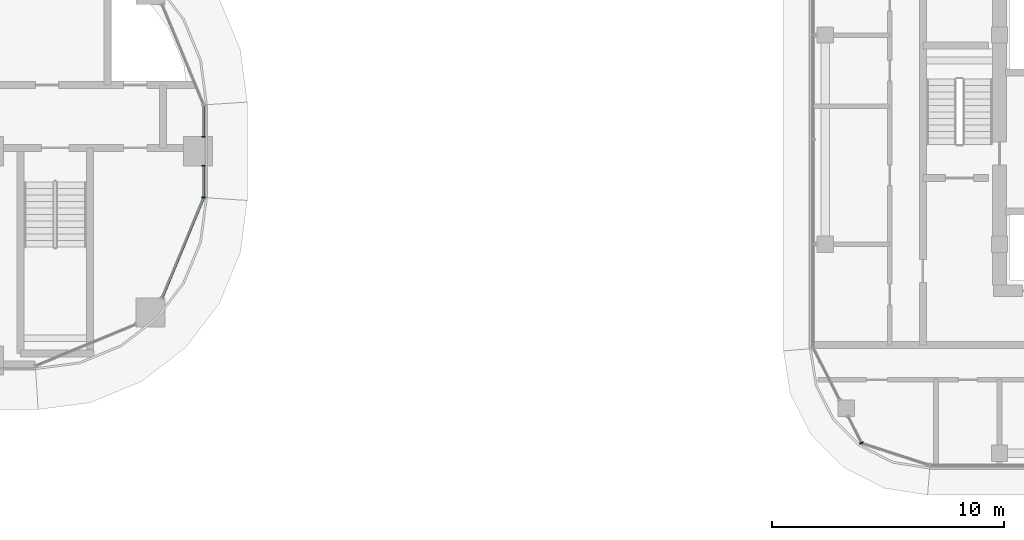
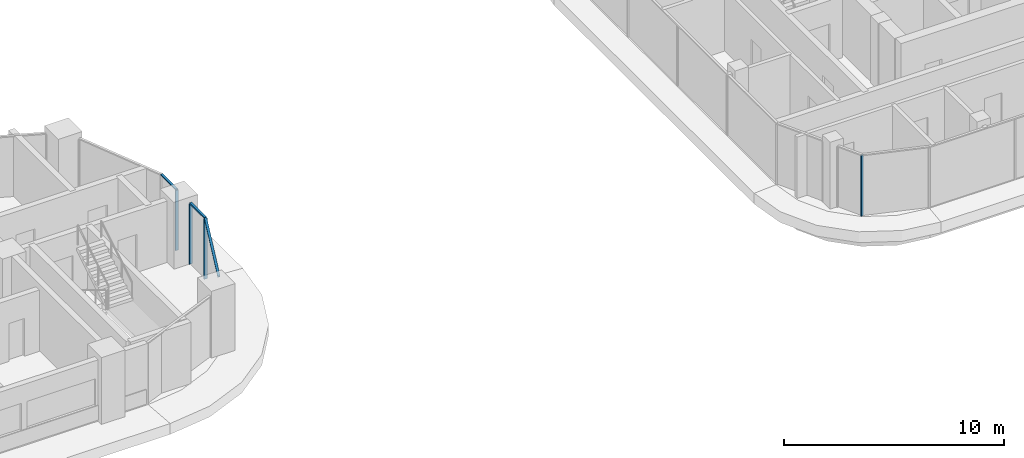
# One storey, part 6 of 33: 7 members, 4 elements without a shape of their own.
"""IFC4 building model written with IfcOpenShell, lengths in metres."""

from ifc_helpers import new_model, si_unit, direction, frame, origin, origin_2d, place, context, subcontext, project, spatial, rectangle, extrude, material, material_profile, profile_set, type_object, element, aggregate, save


model = new_model("IFC4")

# Units and contexts
model_context = context("Model", 3, precision=1e-05, world=origin(), true_north=direction((0.0, 1.0)))
body_context = subcontext(model_context, "Body", "Model", "MODEL_VIEW")
ifc_project = project(units=[si_unit("LENGTHUNIT", "METRE"), si_unit("AREAUNIT", "SQUARE_METRE"), si_unit("VOLUMEUNIT", "CUBIC_METRE"), si_unit("PLANEANGLEUNIT", "RADIAN"), si_unit("MASSUNIT", "GRAM", prefix="KILO")], contexts=[model_context])

# Site, building, storey
site_placement = place(None, origin())
site = spatial("IfcSite", under=ifc_project, at=site_placement, CompositionType="ELEMENT")
building_placement = place(site_placement, origin())
building = spatial("IfcBuilding", under=site, at=building_placement, Name="Ogive Portal Towers", CompositionType="ELEMENT")
storey_placement = place(building_placement, frame((0.0, 0.0, 98.199951171875)))
storey = spatial("IfcBuildingStorey", under=building, at=storey_placement, Name="L23", CompositionType="ELEMENT", Elevation=98.199951171875)

# Curtain wall, members
ifc_material_1 = material(Name="Glass, clear low-iron insulated glazing", Category="glass")
curtain_wall_type_1 = type_object("IfcCurtainWallType", Name="CW FRONT RIBBON 4500", PredefinedType="NOTDEFINED", material=ifc_material_1)
curtain_wall_1_placement = place(storey_placement, origin())
curtain_wall_1 = element("IfcCurtainWall", 1, at=curtain_wall_1_placement, inside=storey, type_object=curtain_wall_type_1, Name="A:L23:f23:cw0~0", PredefinedType="NOTDEFINED")
ifc_material_2 = material(Name="Aluminium 6063 anodised", Category="aluminium")
ifc_material_profile_1 = material_profile(ifc_material_2, rectangle(XDim=0.159912109375, YDim=0.06005859375, at=origin_2d()), Name="AL 60x160")
ifc_profile_set_1 = profile_set([ifc_material_profile_1], Name="Aluminium 6063 anodised")
member_type_1 = type_object("IfcMemberType", Name="CW MULLION 60x160", PredefinedType="MULLION", material=ifc_profile_set_1)
member_1_placement = place(storey_placement, frame((94.739990234375, 28.515869140625, 0.0), z_axis=(0.0, 0.0, 1.0), x_axis=(-1.0, 0.0, 0.0)))
member_1 = element("IfcMember", 2, at=member_1_placement, type_object=member_type_1, Name="mullion", PredefinedType="MULLION", context=body_context, shape_type="SweptSolid", body=[
    extrude(rectangle(XDim=0.159912109375, YDim=0.06005859375, at=origin_2d()), origin(), (0.0, 0.0, 1.0), 3.340087890625),
])
member_2_placement = place(storey_placement, frame((94.739990234375, 29.875, 0.0), z_axis=(0.0, 0.0, 1.0), x_axis=(-1.0, 0.0, 0.0)))
member_2 = element("IfcMember", 3, at=member_2_placement, type_object=member_type_1, Name="mullion", PredefinedType="MULLION", context=body_context, shape_type="SweptSolid", body=[
    extrude(rectangle(XDim=0.159912109375, YDim=0.06005859375, at=origin_2d()), origin(), (0.0, 0.0, 1.0), 3.340087890625),
])

# Curtain wall, member
curtain_wall_2_placement = place(storey_placement, origin())
curtain_wall_2 = element("IfcCurtainWall", 4, at=curtain_wall_2_placement, inside=storey, type_object=curtain_wall_type_1, Name="A:L23:f23:cw0~1", PredefinedType="NOTDEFINED")
member_3_placement = place(storey_placement, frame((94.739990234375, 31.125, 0.0), z_axis=(0.0, 0.0, 1.0), x_axis=(-1.0, 0.0, 0.0)))
member_3 = element("IfcMember", 5, at=member_3_placement, type_object=member_type_1, Name="mullion", PredefinedType="MULLION", context=body_context, shape_type="SweptSolid", body=[
    extrude(rectangle(XDim=0.159912109375, YDim=0.06005859375, at=origin_2d()), origin(), (0.0, 0.0, 1.0), 3.340087890625),
])

curtain_wall_type_2 = type_object("IfcCurtainWallType", Name="CW RESIDENCES RIBBON", PredefinedType="NOTDEFINED", material=ifc_material_1)
curtain_wall_3_placement = place(storey_placement, origin())
curtain_wall_3 = element("IfcCurtainWall", 6, at=curtain_wall_3_placement, inside=storey, type_object=curtain_wall_type_2, Name="B:L23:f00:cwa~1", PredefinedType="NOTDEFINED")
member_4_placement = place(storey_placement, frame((123.05859375, 17.93994140625, 0.0), z_axis=(0.0, 0.0, 1.0), x_axis=(0.891006524188, 0.45399049974, 0.0)))
member_4 = element("IfcMember", 7, at=member_4_placement, type_object=member_type_1, Name="mullion", PredefinedType="MULLION", context=body_context, shape_type="SweptSolid", body=[
    extrude(rectangle(XDim=0.159912109375, YDim=0.06005859375, at=origin_2d()), origin(), (0.0, 0.0, 1.0), 3.340087890625),
])
aggregate(curtain_wall_3, [member_4])

# Member
ifc_material_profile_2 = material_profile(ifc_material_2, rectangle(XDim=0.1201171875, YDim=0.06005859375, at=origin_2d()), Name="AL 120x60")
ifc_profile_set_2 = profile_set([ifc_material_profile_2], Name="Aluminium 6063 anodised")
member_type_2 = type_object("IfcMemberType", Name="CW TRANSOM 60x120", PredefinedType="USERDEFINED", material=ifc_profile_set_2)
member_5_placement = place(storey_placement, frame((94.739990234375, 28.515869140625, 3.3701171875), z_axis=(0.0, 1.0, 0.0), x_axis=(-1.0, 0.0, 0.0)))
member_5 = element("IfcMember", 8, at=member_5_placement, type_object=member_type_2, Name="transom", ObjectType="TRANSOM", PredefinedType="USERDEFINED", context=body_context, shape_type="SweptSolid", body=[
    extrude(rectangle(XDim=0.1201171875, YDim=0.06005859375, at=origin_2d()), origin(), (0.0, 0.0, 1.0), 1.359130859375),
])

aggregate(curtain_wall_1, [member_5, member_1, member_2])

member_6_placement = place(storey_placement, frame((94.739990234375, 31.125, 3.3701171875), z_axis=(0.0, 1.0, 0.0), x_axis=(-1.0, 0.0, 0.0)))
member_6 = element("IfcMember", 9, at=member_6_placement, type_object=member_type_2, Name="transom", ObjectType="TRANSOM", PredefinedType="USERDEFINED", context=body_context, shape_type="SweptSolid", body=[
    extrude(rectangle(XDim=0.1201171875, YDim=0.06005859375, at=origin_2d()), origin(), (0.0, 0.0, 1.0), 1.359130859375),
])

aggregate(curtain_wall_2, [member_6, member_3])

# Curtain wall, member
curtain_wall_4_placement = place(storey_placement, origin())
curtain_wall_4 = element("IfcCurtainWall", 10, at=curtain_wall_4_placement, inside=storey, type_object=curtain_wall_type_1, Name="A:L23:f21:cwa~1", PredefinedType="NOTDEFINED")
member_7_placement = place(storey_placement, frame((92.94189453125, 24.175048828125, 3.3701171875), z_axis=(0.382695977742, 0.923874335946, 0.0), x_axis=(-0.923874335946, 0.382695977742, 0.0)))
member_7 = element("IfcMember", 11, at=member_7_placement, type_object=member_type_2, Name="transom", ObjectType="TRANSOM", PredefinedType="USERDEFINED", context=body_context, shape_type="SweptSolid", body=[
    extrude(rectangle(XDim=0.1201171875, YDim=0.06005859375, at=origin_2d()), origin(), (0.0, 0.0, 1.0), 4.698486328125),
])
aggregate(curtain_wall_4, [member_7])

save(model, "model.ifc")
